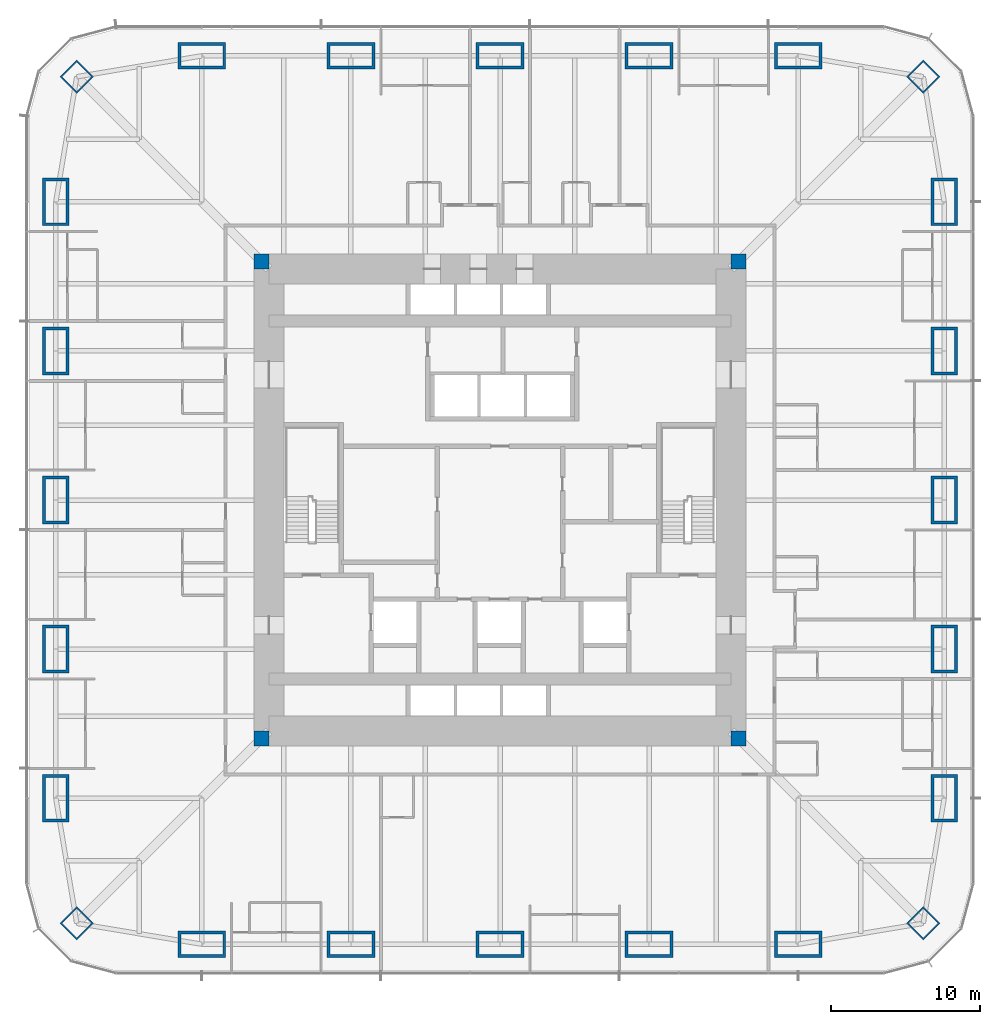
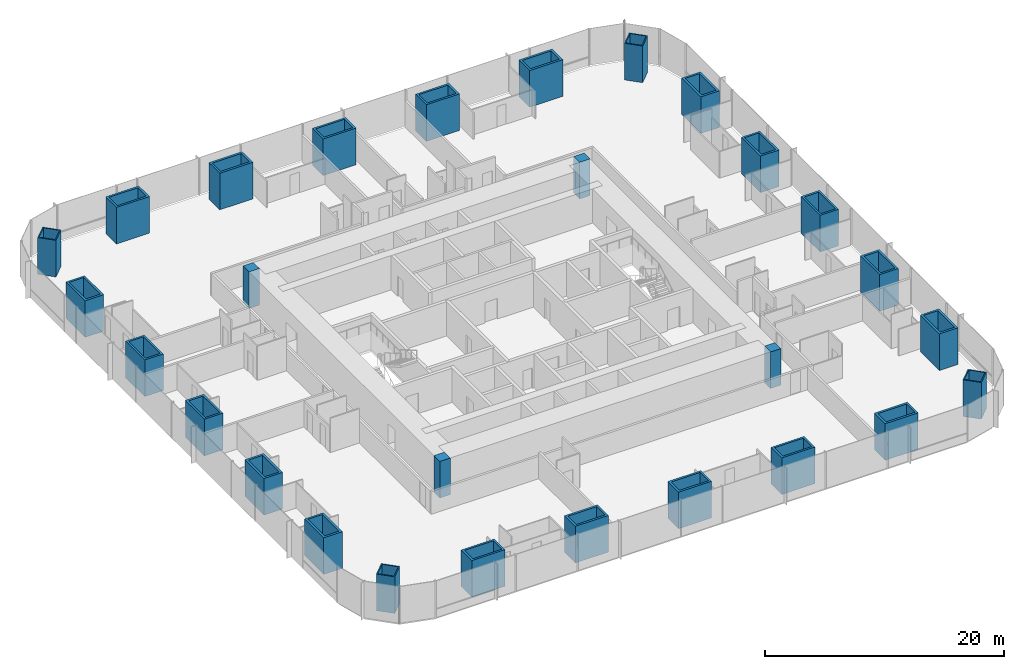
# One storey, part 1 of 17: 28 columns.
"""IFC4 building model written with IfcOpenShell, lengths in metres."""

from ifc_helpers import new_model, si_unit, direction, frame, origin, origin_2d, place, context, subcontext, project, spatial, rectangle, hollow_rectangle, extrude, material, material_profile, profile_set, type_object, element, save


model = new_model("IFC4")

# Units and contexts
model_context = context("Model", 3, precision=1e-05, world=origin(), true_north=direction((0.0, 1.0)))
body_context = subcontext(model_context, "Body", "Model", "MODEL_VIEW")
ifc_project = project(units=[si_unit("LENGTHUNIT", "METRE"), si_unit("AREAUNIT", "SQUARE_METRE"), si_unit("VOLUMEUNIT", "CUBIC_METRE"), si_unit("PLANEANGLEUNIT", "RADIAN"), si_unit("MASSUNIT", "GRAM", prefix="KILO")], contexts=[model_context])

# Site, building, storey
site_placement = place(None, origin())
site = spatial("IfcSite", under=ifc_project, at=site_placement, CompositionType="ELEMENT")
building_placement = place(site_placement, origin())
building = spatial("IfcBuilding", under=site, at=building_placement, Name="Khuree Lantern Residences", CompositionType="ELEMENT")
storey_placement = place(building_placement, frame((0.0, 0.0, 47.25)))
storey = spatial("IfcBuildingStorey", under=building, at=storey_placement, Name="L11", CompositionType="ELEMENT", Elevation=47.25)

# Columns
ifc_material_1 = material(Name="Steel S355 CFT welded box", Category="steel")
ifc_material_profile_1 = material_profile(ifc_material_1, hollow_rectangle(XDim=1.60009765625, YDim=1.60009765625, WallThickness=0.10009765625, at=origin_2d()), Name="WELDED BOX 1600X1600X100")
ifc_profile_set_1 = profile_set([ifc_material_profile_1], Name="Steel S355 CFT welded box")
column_type_1 = type_object("IfcColumnType", Name="CC1600 PERIMETER CORNER MEGA COLUMN WELDED BOX 1600X1600X100", PredefinedType="COLUMN", material=ifc_profile_set_1)
for number, where, z_axis, x_axis, name in (
    (1, (28.39404296875, 28.39404296875, 0.0), (0.0, 0.0, 1.0), (0.707106781187, -0.707106781187, 0.0), "Perimeter column NE"),
    (2, (28.39404296875, -28.39404296875, 0.0), (0.0, 0.0, 1.0), (0.707106781187, 0.707106781187, 0.0), "Perimeter column SE"),
    (3, (-28.39404296875, -28.39404296875, 0.0), (0.0, 0.0, 1.0), (0.707106781187, -0.707106781187, 0.0), "Perimeter column SW"),
    (4, (-28.39404296875, 28.39404296875, 0.0), (0.0, 0.0, 1.0), (0.707106781187, 0.707106781187, 0.0), "Perimeter column NW"),
):
    element("IfcColumn", number, at=place(storey_placement, frame(where, z_axis=z_axis, x_axis=x_axis)), inside=storey, type_object=column_type_1, Name=name, PredefinedType="COLUMN", context=body_context, shape_type="SweptSolid", body=[
        extrude(hollow_rectangle(XDim=1.60009765625, YDim=1.60009765625, WallThickness=0.10009765625, at=origin_2d()), origin(), (0.0, 0.0, 1.0), 3.75),
    ])
ifc_material_2 = material(Name="Concrete C70/85", Category="concrete")
ifc_material_profile_2 = material_profile(ifc_material_2, rectangle(XDim=1.0, YDim=1.0, at=origin_2d()), Name="RC 1000X1000")
ifc_profile_set_2 = profile_set([ifc_material_profile_2], Name="Concrete C70/85")
column_type_2 = type_object("IfcColumnType", Name="CP1000-C70 CORE CORNER PIER C70 RC 1000X1000", PredefinedType="COLUMN", material=ifc_profile_set_2)
for number, where, z_axis, x_axis, name in (
    (5, (16.0, 16.0, -0.25), (0.0, 0.0, 1.0), (1.0, 0.0, 0.0), "Core corner pier NE"),
    (6, (-16.0, 16.0, -0.25), (0.0, 0.0, 1.0), (1.0, 0.0, 0.0), "Core corner pier NW"),
    (7, (-16.0, -16.0, -0.25), (0.0, 0.0, 1.0), (1.0, 0.0, 0.0), "Core corner pier SW"),
    (8, (16.0, -16.0, -0.25), (0.0, 0.0, 1.0), (1.0, 0.0, 0.0), "Core corner pier SE"),
):
    element("IfcColumn", number, at=place(storey_placement, frame(where, z_axis=z_axis, x_axis=x_axis)), inside=storey, type_object=column_type_2, Name=name, PredefinedType="COLUMN", context=body_context, shape_type="SweptSolid", body=[
        extrude(rectangle(XDim=1.0, YDim=1.0, at=origin_2d()), origin(), (0.0, 0.0, 1.0), 3.75),
    ])
ifc_material_profile_3 = material_profile(ifc_material_1, hollow_rectangle(XDim=3.199951171875, YDim=1.800048828125, WallThickness=0.199951171875, at=origin_2d()), Name="WELDED BOX 3200X1800X200")
ifc_profile_set_3 = profile_set([ifc_material_profile_3], Name="Steel S355 CFT welded box")
column_type_3 = type_object("IfcColumnType", Name="SC1 PERIMETER MEGA COLUMN WELDED BOX 3200X1800X200", PredefinedType="COLUMN", material=ifc_profile_set_3)
for number, where, z_axis, x_axis, name in (
    (9, (-20.0, 29.800048828125, 0.0), (0.0, 0.0, 1.0), (1.0, 0.0, 0.0), "Perimeter column N1"),
    (10, (-10.0, 29.800048828125, 0.0), (0.0, 0.0, 1.0), (1.0, 0.0, 0.0), "Perimeter column N2"),
    (11, (0.0, 29.800048828125, 0.0), (0.0, 0.0, 1.0), (1.0, 0.0, 0.0), "Perimeter column N3"),
    (12, (10.0, 29.800048828125, 0.0), (0.0, 0.0, 1.0), (1.0, 0.0, 0.0), "Perimeter column N4"),
    (13, (20.0, 29.800048828125, 0.0), (0.0, 0.0, 1.0), (1.0, 0.0, 0.0), "Perimeter column N5"),
    (14, (29.800048828125, 20.0, 0.0), (0.0, 0.0, 1.0), (0.0, 1.0, 0.0), "Perimeter column E1"),
    (15, (29.800048828125, 10.0, 0.0), (0.0, 0.0, 1.0), (0.0, 1.0, 0.0), "Perimeter column E2"),
    (16, (29.800048828125, 0.0, 0.0), (0.0, 0.0, 1.0), (0.0, 1.0, 0.0), "Perimeter column E3"),
    (17, (29.800048828125, -10.0, 0.0), (0.0, 0.0, 1.0), (0.0, 1.0, 0.0), "Perimeter column E4"),
    (18, (29.800048828125, -20.0, 0.0), (0.0, 0.0, 1.0), (0.0, 1.0, 0.0), "Perimeter column E5"),
    (19, (20.0, -29.800048828125, 0.0), (0.0, 0.0, 1.0), (1.0, 0.0, 0.0), "Perimeter column S1"),
    (20, (10.0, -29.800048828125, 0.0), (0.0, 0.0, 1.0), (1.0, 0.0, 0.0), "Perimeter column S2"),
    (21, (0.0, -29.800048828125, 0.0), (0.0, 0.0, 1.0), (1.0, 0.0, 0.0), "Perimeter column S3"),
    (22, (-10.0, -29.800048828125, 0.0), (0.0, 0.0, 1.0), (1.0, 0.0, 0.0), "Perimeter column S4"),
    (23, (-20.0, -29.800048828125, 0.0), (0.0, 0.0, 1.0), (1.0, 0.0, 0.0), "Perimeter column S5"),
    (24, (-29.800048828125, -20.0, 0.0), (0.0, 0.0, 1.0), (0.0, 1.0, 0.0), "Perimeter column W1"),
    (25, (-29.800048828125, -10.0, 0.0), (0.0, 0.0, 1.0), (0.0, 1.0, 0.0), "Perimeter column W2"),
    (26, (-29.800048828125, 0.0, 0.0), (0.0, 0.0, 1.0), (0.0, 1.0, 0.0), "Perimeter column W3"),
    (27, (-29.800048828125, 10.0, 0.0), (0.0, 0.0, 1.0), (0.0, 1.0, 0.0), "Perimeter column W4"),
    (28, (-29.800048828125, 20.0, 0.0), (0.0, 0.0, 1.0), (0.0, 1.0, 0.0), "Perimeter column W5"),
):
    element("IfcColumn", number, at=place(storey_placement, frame(where, z_axis=z_axis, x_axis=x_axis)), inside=storey, type_object=column_type_3, Name=name, PredefinedType="COLUMN", context=body_context, shape_type="SweptSolid", body=[
        extrude(hollow_rectangle(XDim=3.199951171875, YDim=1.800048828125, WallThickness=0.199951171875, at=origin_2d()), origin(), (0.0, 0.0, 1.0), 3.75),
    ])

save(model, "model.ifc")
